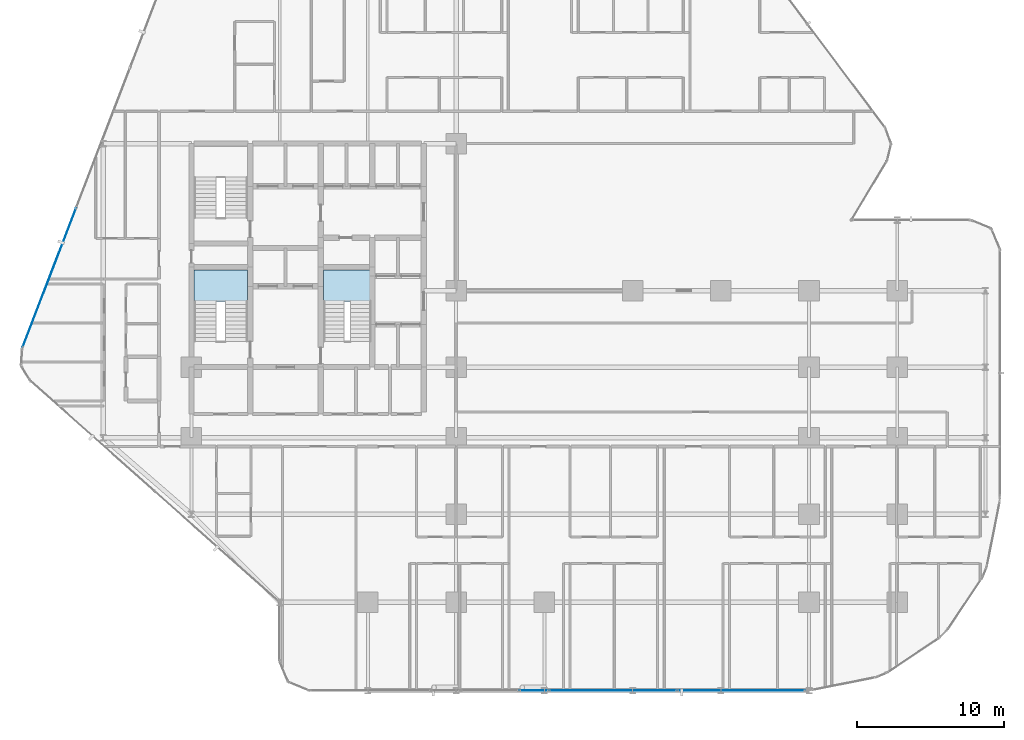
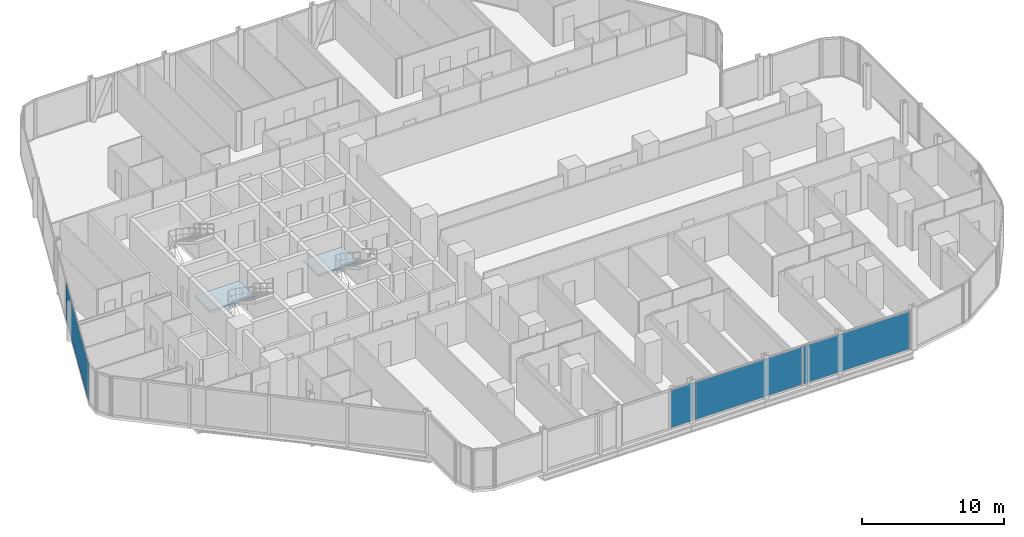
# One storey, part 21 of 34: 4 plates, 2 slabs, 5 elements without a shape of their own.
"""IFC4 building model written with IfcOpenShell, lengths in metres."""

from ifc_helpers import new_model, si_unit, direction, frame, origin, origin_2d, place, context, subcontext, project, spatial, polyline, rectangle, outline, extrude, material, layer, layer_set, type_object, element, aggregate, save


model = new_model("IFC4")

# Units and contexts
model_context = context("Model", 3, precision=1e-05, world=origin(), true_north=direction((0.0, 1.0)))
body_context = subcontext(model_context, "Body", "Model", "MODEL_VIEW")
ifc_project = project(units=[si_unit("LENGTHUNIT", "METRE"), si_unit("AREAUNIT", "SQUARE_METRE"), si_unit("VOLUMEUNIT", "CUBIC_METRE"), si_unit("PLANEANGLEUNIT", "RADIAN"), si_unit("MASSUNIT", "GRAM", prefix="KILO")], contexts=[model_context])

# Site, building, storey
site_placement = place(None, origin())
site = spatial("IfcSite", under=ifc_project, at=site_placement, CompositionType="ELEMENT")
building_placement = place(site_placement, origin())
building = spatial("IfcBuilding", under=site, at=building_placement, Name="Keshet Zoharim Tower", CompositionType="ELEMENT")
storey_placement = place(building_placement, frame((0.0, 0.0, 38.800048828125)))
storey = spatial("IfcBuildingStorey", under=building, at=storey_placement, Name="L08", CompositionType="ELEMENT", Elevation=38.800048828125)

# Curtain wall, plate
ifc_material_1 = material(Name="Aluminium 6063-T6", Category="aluminium")
ifc_layer_1 = layer(ifc_material_1, 0.179931640625)
ifc_layer_set_1 = layer_set([ifc_layer_1], Name="Aluminium 6063-T6")
curtain_wall_type = type_object("IfcCurtainWallType", Name="CW-SYS-01", PredefinedType="NOTDEFINED", material=ifc_layer_set_1)
curtain_wall_1_placement = place(storey_placement, origin())
curtain_wall_1 = element("IfcCurtainWall", 1, at=curtain_wall_1_placement, inside=storey, type_object=curtain_wall_type, Name="L08 Unitised Curtain Wall 04", PredefinedType="NOTDEFINED")
ifc_material_2 = material(Name="Insulated Low-E Clear Glass", Category="glass")
ifc_layer_2 = layer(ifc_material_2, 0.035888671875)
ifc_layer_set_2 = layer_set([ifc_layer_2], Name="Insulated Low-E Clear Glass")
plate_type_1 = type_object("IfcPlateType", Name="CWP-01", PredefinedType="CURTAIN_PANEL", material=ifc_layer_set_2)
plate_1_placement = place(storey_placement, frame((5.33837890625, 28.7802734375, 0.06982421875), z_axis=(0.0, 0.0, 1.0), x_axis=(0.358990003907, 0.933341404361, 0.0)))
plate_1 = element("IfcPlate", 2, at=plate_1_placement, type_object=plate_type_1, Name="CW-01 panel 1.1", PredefinedType="CURTAIN_PANEL", context=body_context, shape_type="SweptSolid", body=[
    extrude(rectangle(XDim=10.1181640625, YDim=0.035888671875, at=origin_2d()), origin(), (0.0, 0.0, 1.0), 3.2451171875),
])
aggregate(curtain_wall_1, [plate_1])

# Curtain wall, plates
curtain_wall_2_placement = place(storey_placement, origin())
curtain_wall_2 = element("IfcCurtainWall", 3, at=curtain_wall_2_placement, inside=storey, type_object=curtain_wall_type, Name="L08 Unitised Curtain Wall 26", PredefinedType="NOTDEFINED")
plate_2_placement = place(storey_placement, frame((52.400390625, 0.699951171875, 0.06982421875), z_axis=(0.0, 0.0, 1.0), x_axis=(-1.0, 0.0, 0.0)))
plate_2 = element("IfcPlate", 4, at=plate_2_placement, type_object=plate_type_1, Name="CW-01 panel 1.1", PredefinedType="CURTAIN_PANEL", context=body_context, shape_type="SweptSolid", body=[
    extrude(rectangle(XDim=8.665283203125, YDim=0.035888671875, at=origin_2d()), origin(), (0.0, 0.0, 1.0), 3.2451171875),
])
plate_3_placement = place(storey_placement, frame((43.665283203125, 0.699951171875, 0.06982421875), z_axis=(0.0, 0.0, 1.0), x_axis=(-1.0, 0.0, 0.0)))
plate_3 = element("IfcPlate", 5, at=plate_3_placement, type_object=plate_type_1, Name="CW-01 panel 2.1", PredefinedType="CURTAIN_PANEL", context=body_context, shape_type="SweptSolid", body=[
    extrude(rectangle(XDim=8.665283203125, YDim=0.035888671875, at=origin_2d()), origin(), (0.0, 0.0, 1.0), 3.2451171875),
])
aggregate(curtain_wall_2, [plate_2, plate_3])

# Curtain wall, plate
curtain_wall_3_placement = place(storey_placement, origin())
curtain_wall_3 = element("IfcCurtainWall", 6, at=curtain_wall_3_placement, inside=storey, type_object=curtain_wall_type, Name="L08 Unitised Curtain Wall 26 Part 2", PredefinedType="NOTDEFINED")
ifc_material_3 = material(Name="Insulated Aluminium Spandrel Panel", Category="aluminium")
ifc_layer_3 = layer(ifc_material_3, 0.035888671875)
ifc_layer_set_3 = layer_set([ifc_layer_3], Name="Insulated Aluminium Spandrel Panel")
plate_type_2 = type_object("IfcPlateType", Name="CWP-04", PredefinedType="CURTAIN_PANEL", material=ifc_layer_set_3)
plate_4_placement = place(storey_placement, frame((38.284912109375, 0.699951171875, 0.06982421875), z_axis=(0.0, 0.0, 1.0), x_axis=(-1.0, 0.0, 0.0)))
plate_4 = element("IfcPlate", 7, at=plate_4_placement, type_object=plate_type_2, Name="CW-01 spandrel panel 1.1", PredefinedType="CURTAIN_PANEL", context=body_context, shape_type="SweptSolid", body=[
    extrude(rectangle(XDim=1.955078125, YDim=0.035888671875, at=origin_2d()), origin(), (0.0, 0.0, 1.0), 3.2451171875),
])
aggregate(curtain_wall_3, [plate_4])

# Stair, slab
ifc_material_4 = material(Name="Concrete C50/60", Category="concrete")
stair_type = type_object("IfcStairType", Name="STR-EXIT-135", PredefinedType="HALF_TURN_STAIR", material=ifc_material_4)
stair_1_placement = place(storey_placement, origin())
stair_1 = element("IfcStair", 8, at=stair_1_placement, inside=storey, type_object=stair_type, Name="L08 Enclosed Exit Stair ST-01", PredefinedType="HALF_TURN_STAIR")
ifc_layer_4 = layer(ifc_material_4, 0.199951171875)
ifc_layer_set_4 = layer_set([ifc_layer_4], Name="Concrete C50/60")
slab_type = type_object("IfcSlabType", Name="SLB-LND-200", PredefinedType="LANDING", material=ifc_layer_set_4)
slab_1_placement = place(storey_placement, frame((0.0, 0.0, 1.64990234375)))
slab_1 = element("IfcSlab", 9, at=slab_1_placement, type_object=slab_type, Name="ST-01 landing 1", PredefinedType="LANDING", context=body_context, shape_type="SweptSolid", body=[
    extrude(outline(polyline([(15.179931640625, 27.159912109375), (18.820068359375, 27.159912109375), (18.820068359375, 29.320068359375), (15.179931640625, 29.320068359375), (15.179931640625, 27.159912109375)])), origin(), (0.0, 0.0, 1.0), 0.199951171875),
])
aggregate(stair_1, [slab_1])

stair_2_placement = place(storey_placement, origin())
stair_2 = element("IfcStair", 10, at=stair_2_placement, inside=storey, type_object=stair_type, Name="L08 Enclosed Exit Stair ST-03", PredefinedType="HALF_TURN_STAIR")
slab_2_placement = place(storey_placement, frame((0.0, 0.0, 1.64990234375)))
slab_2 = element("IfcSlab", 11, at=slab_2_placement, type_object=slab_type, Name="ST-03 landing 1", PredefinedType="LANDING", context=body_context, shape_type="SweptSolid", body=[
    extrude(outline(polyline([(23.97998046875, 27.159912109375), (27.219970703125, 27.159912109375), (27.219970703125, 29.320068359375), (23.97998046875, 29.320068359375), (23.97998046875, 27.159912109375)])), origin(), (0.0, 0.0, 1.0), 0.199951171875),
])
aggregate(stair_2, [slab_2])

save(model, "model.ifc")
